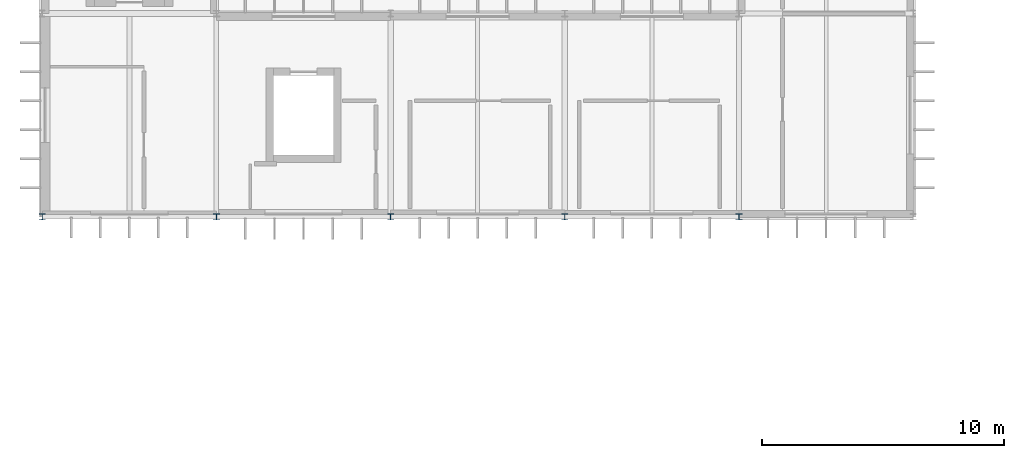
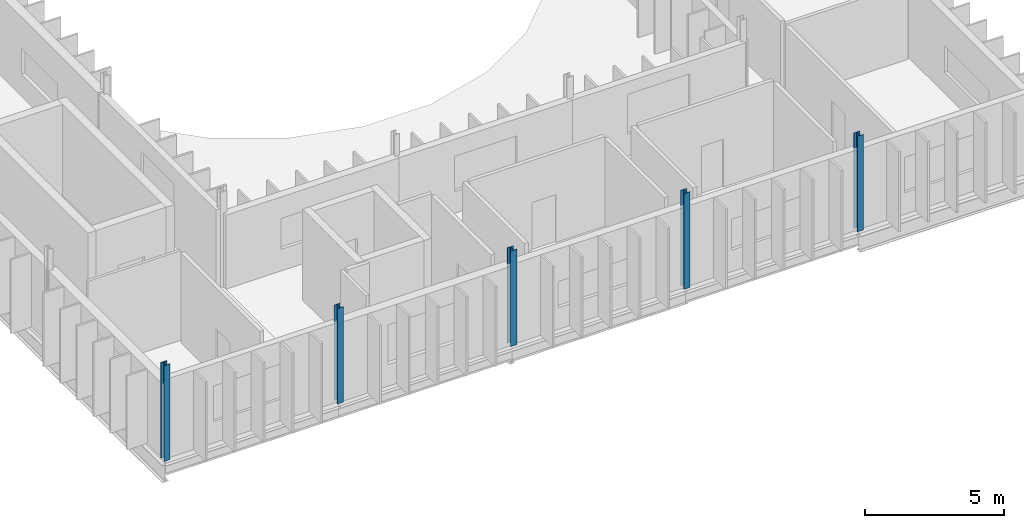
# One storey, part 1 of 18: 5 columns.
"""IFC4 building model written with IfcOpenShell, lengths in metres."""

from ifc_helpers import new_model, si_unit, direction, frame, origin, origin_2d, place, context, subcontext, project, spatial, i_section, extrude, material, material_profile, profile_set, type_object, element, save


model = new_model("IFC4")

# Units and contexts
model_context = context("Model", 3, precision=1e-05, world=origin(), true_north=direction((0.0, 1.0)))
body_context = subcontext(model_context, "Body", "Model", "MODEL_VIEW")
ifc_project = project(units=[si_unit("LENGTHUNIT", "METRE"), si_unit("AREAUNIT", "SQUARE_METRE"), si_unit("VOLUMEUNIT", "CUBIC_METRE"), si_unit("PLANEANGLEUNIT", "RADIAN"), si_unit("MASSUNIT", "GRAM", prefix="KILO")], contexts=[model_context])

# Site, building, storey
site_placement = place(None, origin())
site = spatial("IfcSite", under=ifc_project, at=site_placement, CompositionType="ELEMENT")
building_placement = place(site_placement, origin())
building = spatial("IfcBuilding", under=site, at=building_placement, Name="Qelthora Terrace Specialist Clinic", CompositionType="ELEMENT")
storey_placement = place(building_placement, frame((0.0, 0.0, 21.60009765625)))
storey = spatial("IfcBuildingStorey", under=building, at=storey_placement, Name="L05", CompositionType="ELEMENT", Elevation=21.60009765625)

# Columns
ifc_material = material(Name="Steel S355", Category="steel")
ifc_material_profile_1 = material_profile(ifc_material, i_section(OverallWidth=0.25390625, OverallDepth=0.2529296875, WebThickness=0.008544921875, FlangeThickness=0.01416015625, FilletRadius=0.012939453125, at=origin_2d()), Name="W250X73")
ifc_profile_set_1 = profile_set([ifc_material_profile_1], Name="Steel S355")
column_type_1 = type_object("IfcColumnType", Name="COL-W250X73", PredefinedType="COLUMN", material=ifc_profile_set_1)
for number, where, z_axis, x_axis, name in (
    (1, (7.199951171875, 58.800048828125, 0.0), (0.0, 0.0, 1.0), (1.0, 0.0, 0.0), "Column L05-022"),
    (2, (21.60009765625, 58.800048828125, 0.0), (0.0, 0.0, 1.0), (1.0, 0.0, 0.0), "Column L05-050"),
):
    element("IfcColumn", number, at=place(storey_placement, frame(where, z_axis=z_axis, x_axis=x_axis)), inside=storey, type_object=column_type_1, Name=name, PredefinedType="COLUMN", context=body_context, shape_type="SweptSolid", body=[
        extrude(i_section(OverallWidth=0.25390625, OverallDepth=0.2529296875, WebThickness=0.008544921875, FlangeThickness=0.01416015625, FilletRadius=0.012939453125, at=origin_2d()), origin(), (0.0, 0.0, 1.0), 4.199951171875),
    ])
ifc_material_profile_2 = material_profile(ifc_material, i_section(OverallWidth=0.2548828125, OverallDepth=0.256103515625, WebThickness=0.009521484375, FlangeThickness=0.015625, FilletRadius=0.012939453125, at=origin_2d()), Name="W250X80")
ifc_profile_set_2 = profile_set([ifc_material_profile_2], Name="Steel S355")
column_type_2 = type_object("IfcColumnType", Name="COL-W250X80", PredefinedType="COLUMN", material=ifc_profile_set_2)
column_placement = place(storey_placement, frame((28.800048828125, 58.800048828125, 0.0), z_axis=(0.0, 0.0, 1.0), x_axis=(1.0, 0.0, 0.0)))
element("IfcColumn", 3, at=column_placement, inside=storey, type_object=column_type_2, Name="Column L05-061", PredefinedType="COLUMN", context=body_context, shape_type="SweptSolid", body=[
    extrude(i_section(OverallWidth=0.2548828125, OverallDepth=0.256103515625, WebThickness=0.009521484375, FlangeThickness=0.015625, FilletRadius=0.012939453125, at=origin_2d()), origin(), (0.0, 0.0, 1.0), 4.199951171875),
])
ifc_material_profile_3 = material_profile(ifc_material, i_section(OverallWidth=0.256103515625, OverallDepth=0.260009765625, WebThickness=0.0107421875, FlangeThickness=0.017333984375, FilletRadius=0.012939453125, at=origin_2d()), Name="W250X89")
ifc_profile_set_3 = profile_set([ifc_material_profile_3], Name="Steel S355")
column_type_3 = type_object("IfcColumnType", Name="COL-W250X89", PredefinedType="COLUMN", material=ifc_profile_set_3)
for number, where, z_axis, x_axis, name in (
    (4, (14.39990234375, 58.800048828125, 0.0), (0.0, 0.0, 1.0), (1.0, 0.0, 0.0), "Column L05-036"),
    (5, (36.0, 58.800048828125, 0.0), (0.0, 0.0, 1.0), (1.0, 0.0, 0.0), "Column L05-072"),
):
    element("IfcColumn", number, at=place(storey_placement, frame(where, z_axis=z_axis, x_axis=x_axis)), inside=storey, type_object=column_type_3, Name=name, PredefinedType="COLUMN", context=body_context, shape_type="SweptSolid", body=[
        extrude(i_section(OverallWidth=0.256103515625, OverallDepth=0.260009765625, WebThickness=0.0107421875, FlangeThickness=0.017333984375, FilletRadius=0.012939453125, at=origin_2d()), origin(), (0.0, 0.0, 1.0), 4.199951171875),
    ])

save(model, "model.ifc")
